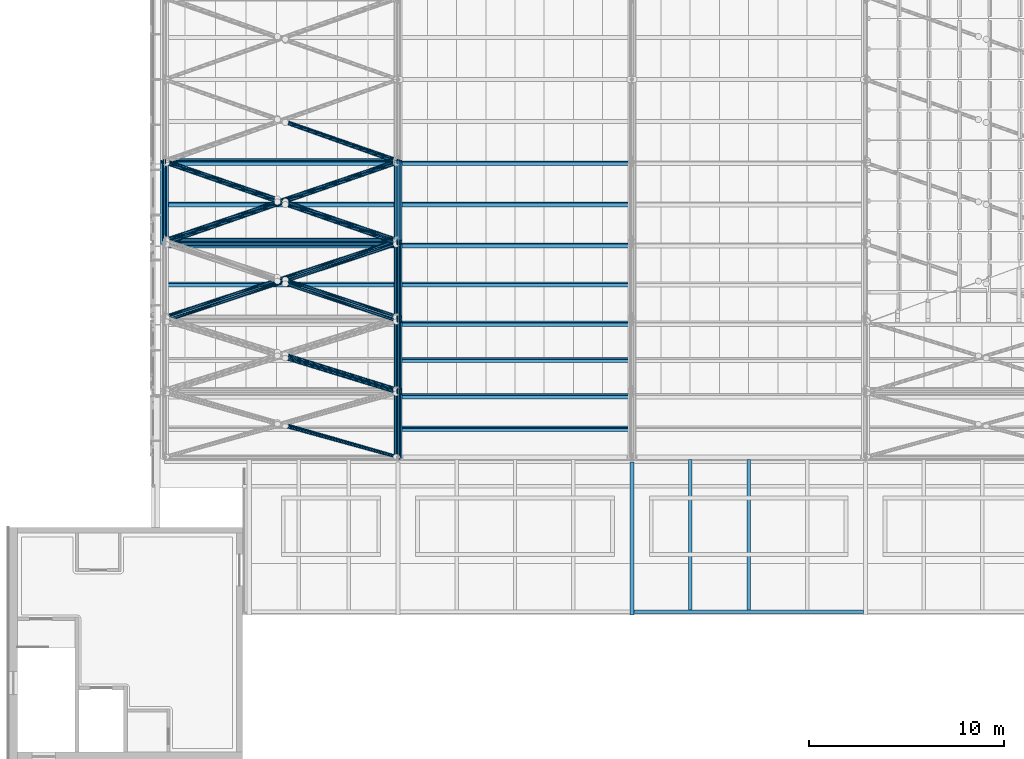
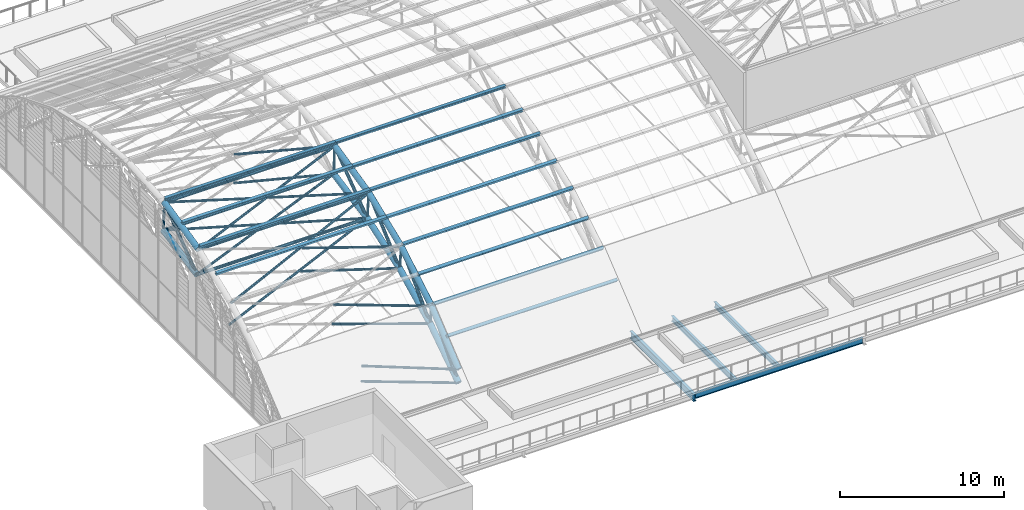
# One storey, part 3 of 110: 52 members, 4 beams.
"""IFC4 building model written with IfcOpenShell, lengths in metres."""

import ifcopenshell
import ifcopenshell.guid

model = None  # the IFC model being written
_history = None  # IfcOwnerHistory: only IFC2X3 demands one
_inside = {}  # id of a spatial element -> (the spatial element, [elements in it])
_under = {}  # id of a project, library or spatial element -> (it, [spatial elements below it])
_declared = {}  # id of a project -> (the project, [libraries it declares])
_typed = {}  # id of a type object -> (the type object, [elements of that type])
_made_of = {}  # id of a material, layer set ... -> (it, [elements and type objects made of it])


def new_model(schema):
    """Start an empty IFC model of exactly this schema.

    Asked for "IFC4X3", IfcOpenShell would pick the latest addendum, in which some entities
    have other attributes; the version numbers below select the first issue.
    IFC2X3 requires an IfcOwnerHistory on every rooted entity: one is made here for all.
    """
    global model, _history
    if schema == "IFC4X3":
        model = ifcopenshell.file(schema_version=(4, 3, 0, 0))
    else:
        model = ifcopenshell.file(schema=schema)
    _inside.clear()
    _under.clear()
    _declared.clear()
    _typed.clear()
    _made_of.clear()
    _history = None
    if model.schema == "IFC2X3":
        org = make("IfcOrganization", Name="unknown")
        user = make(
            "IfcPersonAndOrganization",
            ThePerson=make("IfcPerson", FamilyName="unknown"),
            TheOrganization=org,
        )
        app = make(
            "IfcApplication",
            ApplicationDeveloper=org,
            Version="unknown",
            ApplicationFullName="unknown",
            ApplicationIdentifier="unknown",
        )
        _history = make(
            "IfcOwnerHistory",
            OwningUser=user,
            OwningApplication=app,
            ChangeAction="ADDED",
            CreationDate=0,
        )
    return model


def make(cls, **values):
    """One entity of the class cls with the attributes given. An attribute that is None is left unset."""
    return model.create_entity(
        cls, **{name: value for name, value in values.items() if value is not None}
    )


def rooted(cls, **values):
    """An entity with a GlobalId (a new one), such as an element, a storey or a relation."""
    return make(cls, GlobalId=ifcopenshell.guid.new(), OwnerHistory=_history, **values)


def si_unit(unit_type, name, prefix=None):
    """IfcSIUnit, for example si_unit("LENGTHUNIT", "METRE", prefix="MILLI")."""
    return make("IfcSIUnit", UnitType=unit_type, Prefix=prefix, Name=name)


def assignment(units):
    """IfcUnitAssignment: the units of a project."""
    return None if units is None else make("IfcUnitAssignment", Units=units)


def point(xyz):
    """IfcCartesianPoint."""
    return None if xyz is None else make("IfcCartesianPoint", Coordinates=xyz)


def direction(xyz):
    """IfcDirection."""
    return None if xyz is None else make("IfcDirection", DirectionRatios=xyz)


def frame(location, z_axis=None, x_axis=None):
    """IfcAxis2Placement3D, a coordinate frame: its origin and axes. An axis left out is left unset."""
    return make(
        "IfcAxis2Placement3D",
        Location=point(location),
        Axis=direction(z_axis),
        RefDirection=direction(x_axis),
    )


def frame_2d(location, x_axis=None):
    """IfcAxis2Placement2D, a coordinate frame in the plane: its origin and x axis."""
    return make(
        "IfcAxis2Placement2D", Location=point(location), RefDirection=direction(x_axis)
    )


def origin():
    """The frame at (0, 0, 0) with its axes left unset."""
    return frame((0.0, 0.0, 0.0))


def origin_2d():
    """The frame at (0, 0) in the plane with its x axis left unset."""
    return frame_2d((0.0, 0.0))


def place(relative_to, where):
    """IfcLocalPlacement: puts the frame where relative to a parent placement (None: the world)."""
    return make(
        "IfcLocalPlacement", PlacementRelTo=relative_to, RelativePlacement=where
    )


def context(
    kind, dimensions, precision=None, world=None, true_north=None, identifier=None
):
    """IfcGeometricRepresentationContext, for example the 3D "Model" context."""
    return make(
        "IfcGeometricRepresentationContext",
        ContextIdentifier=identifier,
        ContextType=kind,
        CoordinateSpaceDimension=dimensions,
        Precision=precision,
        WorldCoordinateSystem=world,
        TrueNorth=true_north,
    )


def subcontext(parent, identifier, kind, view, scale=None):
    """IfcGeometricRepresentationSubContext, for example "Body" below "Model"."""
    return make(
        "IfcGeometricRepresentationSubContext",
        ContextIdentifier=identifier,
        ContextType=kind,
        ParentContext=parent,
        TargetScale=scale,
        TargetView=view,
    )


def project(units=None, contexts=None):
    """IfcProject with its units and contexts."""
    return rooted(
        "IfcProject",
        Name="project",
        RepresentationContexts=contexts,
        UnitsInContext=assignment(units),
    )


def spatial(cls, under=None, at=None, **own):
    """A site, building, storey or space (cls), placed at a placement, below another one or the project."""
    s = rooted(cls, ObjectPlacement=at, **own)
    if under is not None:
        _under.setdefault(under.id(), (under, []))[1].append(s)
    return s


def profile(cls, at=None, kind="AREA", **sizes):
    """A parametric profile (cls). Its sizes go by their IFC names, for example OverallWidth=200.0."""
    return make(cls, ProfileType=kind, Position=at, **sizes)


def hollow_circle(**sizes):
    """IfcCircleHollowProfileDef."""
    return profile("IfcCircleHollowProfileDef", **sizes)


def i_section(**sizes):
    """IfcIShapeProfileDef."""
    return profile("IfcIShapeProfileDef", **sizes)


def extrude(swept, where, along, depth):
    """IfcExtrudedAreaSolid: the profile swept, set in the frame where, extruded along a direction by depth."""
    return make(
        "IfcExtrudedAreaSolid",
        SweptArea=swept,
        Position=where,
        ExtrudedDirection=direction(along),
        Depth=depth,
    )


def shape(context_of_items, identifier, shape_type, items):
    """IfcShapeRepresentation: the items that make up one representation, for example the "Body"."""
    return make(
        "IfcShapeRepresentation",
        ContextOfItems=context_of_items,
        RepresentationIdentifier=identifier,
        RepresentationType=shape_type,
        Items=items,
    )


def material(Name=None, Category=None):
    """IfcMaterial."""
    return make("IfcMaterial", Name=Name, Category=Category)


def material_profile(
    of_material, cross_section, Name=None, Category=None, Priority=None
):
    """IfcMaterialProfile: a cross section and its material."""
    return make(
        "IfcMaterialProfile",
        Name=Name,
        Material=of_material,
        Profile=cross_section,
        Priority=Priority,
        Category=Category,
    )


def profile_set(profiles, Name=None, composite=None):
    """IfcMaterialProfileSet."""
    return make(
        "IfcMaterialProfileSet",
        Name=Name,
        MaterialProfiles=profiles,
        CompositeProfile=composite,
    )


def made_of(thing, what):
    """Note that an element or type object is made of a material, layer set ...; save() writes the relation."""
    if what is not None:
        _made_of.setdefault(what.id(), (what, []))[1].append(thing)
    return thing


def type_object(cls, material=None, **own):
    """A type object (cls), such as IfcWallType, which elements share."""
    return made_of(rooted(cls, **own), material)


def element(
    cls,
    number,
    at=None,
    inside=None,
    cuts=None,
    type_object=None,
    material=None,
    context=None,
    identifier="Body",
    shape_type=None,
    held_by="IfcProductDefinitionShape",
    body=None,
    shapes=None,
    **own,
):
    """One element of the class cls, such as IfcWall. Its Tag is "e" and its number.

    at: its placement. inside: the storey or other place that contains it. cuts: it is an
    opening in that element (IfcRelVoidsElement). A single representation is given by context,
    identifier, shape_type and body (its items); several are given by shapes. held_by: the class
    of the entity that holds the representations. save() writes the other relations.
    """
    e = rooted(cls, Tag="e%d" % number, ObjectPlacement=at, **own)
    if body is not None:
        shapes = [shape(context, identifier, shape_type, body)]
    if shapes is not None:
        e.Representation = make(held_by, Representations=shapes)
    if inside is not None:
        _inside.setdefault(inside.id(), (inside, []))[1].append(e)
    if cuts is not None:
        rooted(
            "IfcRelVoidsElement", RelatingBuildingElement=cuts, RelatedOpeningElement=e
        )
    if type_object is not None:
        _typed.setdefault(type_object.id(), (type_object, []))[1].append(e)
    return made_of(e, material)


def aggregate(whole, parts):
    """IfcRelAggregates: a whole, such as a stair, and the parts it consists of."""
    return rooted("IfcRelAggregates", RelatingObject=whole, RelatedObjects=parts)


def save(model, path):
    """Write the relations noted so far, then the file.

    IfcRelAggregates (storeys below a building ...), IfcRelContainedInSpatialStructure (elements
    in a storey), IfcRelDefinesByType, IfcRelAssociatesMaterial and IfcRelDeclares: one each for
    every whole, place, type object, material and project.
    """
    for whole, parts in _under.values():
        aggregate(whole, parts)
    for where, things in _inside.values():
        rooted(
            "IfcRelContainedInSpatialStructure",
            RelatedElements=things,
            RelatingStructure=where,
        )
    for kind, things in _typed.values():
        rooted("IfcRelDefinesByType", RelatedObjects=things, RelatingType=kind)
    for what, things in _made_of.values():
        rooted("IfcRelAssociatesMaterial", RelatedObjects=things, RelatingMaterial=what)
    for by, libraries in _declared.values():
        rooted("IfcRelDeclares", RelatingContext=by, RelatedDefinitions=libraries)
    model.write(path)


model = new_model("IFC4")

# Units and contexts
model_context = context("Model", 3, precision=1e-05, world=origin(), true_north=direction((0.0, 1.0)))
body_context = subcontext(model_context, "Body", "Model", "MODEL_VIEW")
ifc_project = project(units=[si_unit("LENGTHUNIT", "METRE"), si_unit("AREAUNIT", "SQUARE_METRE"), si_unit("VOLUMEUNIT", "CUBIC_METRE"), si_unit("PLANEANGLEUNIT", "RADIAN"), si_unit("MASSUNIT", "GRAM", prefix="KILO")], contexts=[model_context])

# Site, building, storey
site_placement = place(None, origin())
site = spatial("IfcSite", under=ifc_project, at=site_placement, CompositionType="ELEMENT")
building_placement = place(site_placement, origin())
building = spatial("IfcBuilding", under=site, at=building_placement, Name="Windward Yard Aquatics Centre", CompositionType="ELEMENT")
storey_placement = place(building_placement, frame((0.0, 0.0, 22.60009765625)))
storey = spatial("IfcBuildingStorey", under=building, at=storey_placement, Name="L05", CompositionType="ELEMENT", Elevation=22.60009765625)

# Members
ifc_material_1 = material(Name="Steel ASTM A500 Gr C", Category="steel")
ifc_material_profile_1 = material_profile(ifc_material_1, hollow_circle(Radius=0.084228515625, WallThickness=0.010986328125, at=origin_2d()), Name="HSS168.3X11")
ifc_profile_set_1 = profile_set([ifc_material_profile_1], Name="Steel ASTM A500 Gr C")
member_type_1 = type_object("IfcMemberType", Name="H arch post HSS168.3X11", PredefinedType="POST", material=ifc_profile_set_1)
member_1_placement = place(storey_placement, frame((60.0, 56.83935546875, 6.323486328125), z_axis=(0.0, -0.050215263417, 0.998738417865), x_axis=(1.0, 0.0, 0.0)))
element("IfcMember", 1, at=member_1_placement, inside=storey, type_object=member_type_1, Name="H.AT.1.WP05", PredefinedType="POST", context=body_context, shape_type="SweptSolid", body=[
    extrude(hollow_circle(Radius=0.084228515625, WallThickness=0.010986328125, at=origin_2d()), origin(), (0.0, 0.0, 1.0), 2.14892578125),
])
member_2_placement = place(storey_placement, frame((72.0, 45.064697265625, 2.319580078125), z_axis=(0.0, -0.111745510026, 0.993736857015), x_axis=(1.0, 0.0, 0.0)))
element("IfcMember", 2, at=member_2_placement, inside=storey, type_object=member_type_1, Name="H.AT.2.WP02", PredefinedType="POST", context=body_context, shape_type="SweptSolid", body=[
    extrude(hollow_circle(Radius=0.084228515625, WallThickness=0.010986328125, at=origin_2d()), origin(), (0.0, 0.0, 1.0), 1.406982421875),
])
member_3_placement = place(storey_placement, frame((72.0, 48.802734375, 4.16650390625), z_axis=(0.0, -0.121591772527, 0.992580193664), x_axis=(1.0, 0.0, 0.0)))
element("IfcMember", 3, at=member_3_placement, inside=storey, type_object=member_type_1, Name="H.AT.2.WP03", PredefinedType="POST", context=body_context, shape_type="SweptSolid", body=[
    extrude(hollow_circle(Radius=0.084228515625, WallThickness=0.010986328125, at=origin_2d()), origin(), (0.0, 0.0, 1.0), 1.746826171875),
])
member_4_placement = place(storey_placement, frame((72.0, 52.750244140625, 5.5087890625), z_axis=(0.0, -0.094018625473, 0.995570438525), x_axis=(1.0, 0.0, 0.0)))
element("IfcMember", 4, at=member_4_placement, inside=storey, type_object=member_type_1, Name="H.AT.2.WP04", PredefinedType="POST", context=body_context, shape_type="SweptSolid", body=[
    extrude(hollow_circle(Radius=0.084228515625, WallThickness=0.010986328125, at=origin_2d()), origin(), (0.0, 0.0, 1.0), 1.996826171875),
])
member_5_placement = place(storey_placement, frame((72.0, 56.83935546875, 6.323486328125), z_axis=(0.0, -0.050215263417, 0.998738417865), x_axis=(1.0, 0.0, 0.0)))
element("IfcMember", 5, at=member_5_placement, inside=storey, type_object=member_type_1, Name="H.AT.2.WP05", PredefinedType="POST", context=body_context, shape_type="SweptSolid", body=[
    extrude(hollow_circle(Radius=0.084228515625, WallThickness=0.010986328125, at=origin_2d()), origin(), (0.0, 0.0, 1.0), 2.14892578125),
])
ifc_material_profile_2 = material_profile(ifc_material_1, hollow_circle(Radius=0.203125, WallThickness=0.015869140625, at=origin_2d()), Name="HSS406.4X15.9")
ifc_profile_set_2 = profile_set([ifc_material_profile_2], Name="Steel ASTM A500 Gr C")
member_type_2 = type_object("IfcMemberType", Name="H arch top chord HSS406.4X15.9", PredefinedType="CHORD", material=ifc_profile_set_2)
member_6_placement = place(storey_placement, frame((60.0, 52.5625, 7.496826171875), z_axis=(0.0, 0.973833637334, 0.227262066337), x_axis=(-1.0, 0.0, 0.0)))
element("IfcMember", 6, at=member_6_placement, inside=storey, type_object=member_type_2, Name="H.AT.1.TC04", PredefinedType="CHORD", context=body_context, shape_type="SweptSolid", body=[
    extrude(hollow_circle(Radius=0.203125, WallThickness=0.015869140625, at=origin_2d()), origin(), (0.0, 0.0, 1.0), 4.281005859375),
])
member_7_placement = place(storey_placement, frame((60.0, 52.750244140625, 5.5087890625), z_axis=(0.0, 0.980724544319, 0.195395414914), x_axis=(-1.0, 0.0, 0.0)))
element("IfcMember", 7, at=member_7_placement, inside=storey, type_object=member_type_2, Name="H.AT.1.BC04", PredefinedType="CHORD", context=body_context, shape_type="SweptSolid", body=[
    extrude(hollow_circle(Radius=0.203125, WallThickness=0.015869140625, at=origin_2d()), origin(), (0.0, 0.0, 1.0), 4.16943359375),
])
member_8_placement = place(storey_placement, frame((72.0, 41.60009765625, 1.0), z_axis=(0.0, 0.772611352747, 0.634879277979), x_axis=(-1.0, 0.0, 0.0)))
element("IfcMember", 8, at=member_8_placement, inside=storey, type_object=member_type_2, Name="H.AT.2.TC01", PredefinedType="CHORD", context=body_context, shape_type="SweptSolid", body=[
    extrude(hollow_circle(Radius=0.203125, WallThickness=0.015869140625, at=origin_2d()), origin(), (0.0, 0.0, 1.0), 4.28076171875),
])
member_9_placement = place(storey_placement, frame((72.0, 41.60009765625, 0.0), z_axis=(0.0, 0.83095865789, 0.556334170151), x_axis=(-1.0, 0.0, 0.0)))
element("IfcMember", 9, at=member_9_placement, inside=storey, type_object=member_type_2, Name="H.AT.2.BC01", PredefinedType="CHORD", context=body_context, shape_type="SweptSolid", body=[
    extrude(hollow_circle(Radius=0.203125, WallThickness=0.015869140625, at=origin_2d()), origin(), (0.0, 0.0, 1.0), 4.16943359375),
])
member_10_placement = place(storey_placement, frame((72.0, 44.907470703125, 3.7177734375), z_axis=(0.0, 0.860273006082, 0.509833654251), x_axis=(-1.0, 0.0, 0.0)))
element("IfcMember", 10, at=member_10_placement, inside=storey, type_object=member_type_2, Name="H.AT.2.TC02", PredefinedType="CHORD", context=body_context, shape_type="SweptSolid", body=[
    extrude(hollow_circle(Radius=0.203125, WallThickness=0.015869140625, at=origin_2d()), origin(), (0.0, 0.0, 1.0), 4.281005859375),
])
member_11_placement = place(storey_placement, frame((72.0, 45.064697265625, 2.319580078125), z_axis=(0.0, 0.896536837976, 0.4429691842), x_axis=(-1.0, 0.0, 0.0)))
element("IfcMember", 11, at=member_11_placement, inside=storey, type_object=member_type_2, Name="H.AT.2.BC02", PredefinedType="CHORD", context=body_context, shape_type="SweptSolid", body=[
    extrude(hollow_circle(Radius=0.203125, WallThickness=0.015869140625, at=origin_2d()), origin(), (0.0, 0.0, 1.0), 4.16943359375),
])
member_12_placement = place(storey_placement, frame((72.0, 48.59033203125, 5.900390625), z_axis=(0.0, 0.92786581708, 0.372914233429), x_axis=(-1.0, 0.0, 0.0)))
element("IfcMember", 12, at=member_12_placement, inside=storey, type_object=member_type_2, Name="H.AT.2.TC03", PredefinedType="CHORD", context=body_context, shape_type="SweptSolid", body=[
    extrude(hollow_circle(Radius=0.203125, WallThickness=0.015869140625, at=origin_2d()), origin(), (0.0, 0.0, 1.0), 4.281005859375),
])
member_13_placement = place(storey_placement, frame((72.0, 48.802734375, 4.16650390625), z_axis=(0.0, 0.946763107829, 0.321931075938), x_axis=(-1.0, 0.0, 0.0)))
element("IfcMember", 13, at=member_13_placement, inside=storey, type_object=member_type_2, Name="H.AT.2.BC03", PredefinedType="CHORD", context=body_context, shape_type="SweptSolid", body=[
    extrude(hollow_circle(Radius=0.203125, WallThickness=0.015869140625, at=origin_2d()), origin(), (0.0, 0.0, 1.0), 4.16943359375),
])
member_14_placement = place(storey_placement, frame((72.0, 52.5625, 7.496826171875), z_axis=(0.0, 0.973833637334, 0.227262066337), x_axis=(-1.0, 0.0, 0.0)))
element("IfcMember", 14, at=member_14_placement, inside=storey, type_object=member_type_2, Name="H.AT.2.TC04", PredefinedType="CHORD", context=body_context, shape_type="SweptSolid", body=[
    extrude(hollow_circle(Radius=0.203125, WallThickness=0.015869140625, at=origin_2d()), origin(), (0.0, 0.0, 1.0), 4.281005859375),
])
member_15_placement = place(storey_placement, frame((72.0, 52.750244140625, 5.5087890625), z_axis=(0.0, 0.980724544319, 0.195395414914), x_axis=(-1.0, 0.0, 0.0)))
element("IfcMember", 15, at=member_15_placement, inside=storey, type_object=member_type_2, Name="H.AT.2.BC04", PredefinedType="CHORD", context=body_context, shape_type="SweptSolid", body=[
    extrude(hollow_circle(Radius=0.203125, WallThickness=0.015869140625, at=origin_2d()), origin(), (0.0, 0.0, 1.0), 4.16943359375),
])
ifc_material_profile_3 = material_profile(ifc_material_1, hollow_circle(Radius=0.109619140625, WallThickness=0.00830078125, at=origin_2d()), Name="HSS219.1X8.2")
ifc_profile_set_3 = profile_set([ifc_material_profile_3], Name="Steel ASTM A500 Gr C")
member_type_3 = type_object("IfcMemberType", Name="H arch web diagonal HSS219.1X8.2", PredefinedType="BRACE", material=ifc_profile_set_3)
member_16_placement = place(storey_placement, frame((60.0, 52.750244140625, 5.5087890625), z_axis=(0.0, 0.802408568981, 0.596775073563), x_axis=(-1.0, 0.0, 0.0)))
element("IfcMember", 16, at=member_16_placement, inside=storey, type_object=member_type_3, Name="H.AT.1.WD04", PredefinedType="BRACE", context=body_context, shape_type="SweptSolid", body=[
    extrude(hollow_circle(Radius=0.109619140625, WallThickness=0.00830078125, at=origin_2d()), origin(), (0.0, 0.0, 1.0), 4.961669921875),
])
member_17_placement = place(storey_placement, frame((72.0, 41.60009765625, 0.0), z_axis=(0.0, 0.664665272452, 0.747141268835), x_axis=(-1.0, 0.0, 0.0)))
element("IfcMember", 17, at=member_17_placement, inside=storey, type_object=member_type_3, Name="H.AT.2.WD01", PredefinedType="BRACE", context=body_context, shape_type="SweptSolid", body=[
    extrude(hollow_circle(Radius=0.109619140625, WallThickness=0.00830078125, at=origin_2d()), origin(), (0.0, 0.0, 1.0), 4.97607421875),
])
member_18_placement = place(storey_placement, frame((72.0, 45.064697265625, 2.319580078125), z_axis=(0.0, 0.701595524129, 0.712575413919), x_axis=(-1.0, 0.0, 0.0)))
element("IfcMember", 18, at=member_18_placement, inside=storey, type_object=member_type_3, Name="H.AT.2.WD02", PredefinedType="BRACE", context=body_context, shape_type="SweptSolid", body=[
    extrude(hollow_circle(Radius=0.109619140625, WallThickness=0.00830078125, at=origin_2d()), origin(), (0.0, 0.0, 1.0), 5.025146484375),
])
member_19_placement = place(storey_placement, frame((72.0, 48.802734375, 4.16650390625), z_axis=(0.0, 0.748564053538, 0.663062484047), x_axis=(-1.0, 0.0, 0.0)))
element("IfcMember", 19, at=member_19_placement, inside=storey, type_object=member_type_3, Name="H.AT.2.WD03", PredefinedType="BRACE", context=body_context, shape_type="SweptSolid", body=[
    extrude(hollow_circle(Radius=0.109619140625, WallThickness=0.00830078125, at=origin_2d()), origin(), (0.0, 0.0, 1.0), 5.022705078125),
])
member_20_placement = place(storey_placement, frame((72.0, 52.750244140625, 5.5087890625), z_axis=(0.0, 0.802408568981, 0.596775073563), x_axis=(-1.0, 0.0, 0.0)))
element("IfcMember", 20, at=member_20_placement, inside=storey, type_object=member_type_3, Name="H.AT.2.WD04", PredefinedType="BRACE", context=body_context, shape_type="SweptSolid", body=[
    extrude(hollow_circle(Radius=0.109619140625, WallThickness=0.00830078125, at=origin_2d()), origin(), (0.0, 0.0, 1.0), 4.961669921875),
])
ifc_material_profile_4 = material_profile(ifc_material_1, hollow_circle(Radius=0.084228515625, WallThickness=0.007080078125, at=origin_2d()), Name="HSS168.3X7.1")
ifc_profile_set_4 = profile_set([ifc_material_profile_4], Name="Steel ASTM A500 Gr C")
member_type_4 = type_object("IfcMemberType", Name="H roof brace HSS168.3X7.1", PredefinedType="BRACE", material=ifc_profile_set_4)
for number, where, z_axis, x_axis, name in (
    (21, (66.1064453125, 43.224365234375, 2.334716796875), (0.941869878375, -0.259579962752, -0.213305825397), (0.265694801521, 0.964057193555, 0.0), "H.RB.1.T01B2"),
    (22, (66.1064453125, 46.71630859375, 4.789794921875), (0.941852913736, -0.28907159229, -0.171320469934), (0.293409548172, 0.955986839366, 0.0), "H.RB.1.T02B2"),
):
    element("IfcMember", number, at=place(storey_placement, frame(where, z_axis=z_axis, x_axis=x_axis)), inside=storey, type_object=member_type_4, Name=name, PredefinedType="BRACE", context=body_context, shape_type="SweptSolid", body=[
        extrude(hollow_circle(Radius=0.084228515625, WallThickness=0.007080078125, at=origin_2d()), origin(), (0.0, 0.0, 1.0), 6.25732421875),
    ])
member_21_placement = place(storey_placement, frame((60.0, 48.59033203125, 5.900390625), z_axis=(0.941859739241, 0.311768757272, 0.125301530658), x_axis=(-0.314245417859, 0.949341781107, 0.0)))
element("IfcMember", 23, at=member_21_placement, inside=storey, type_object=member_type_4, Name="H.RB.1.T03A", PredefinedType="BRACE", context=body_context, shape_type="SweptSolid", body=[
    extrude(hollow_circle(Radius=0.084228515625, WallThickness=0.007080078125, at=origin_2d()), origin(), (0.0, 0.0, 1.0), 12.74072265625),
])
member_22_placement = place(storey_placement, frame((66.1064453125, 50.541259765625, 6.6845703125), z_axis=(0.941853728826, -0.311779335006, -0.125320388442), x_axis=(0.314256834084, 0.9493380021, 0.0)))
element("IfcMember", 24, at=member_22_placement, inside=storey, type_object=member_type_4, Name="H.RB.1.T03B2", PredefinedType="BRACE", context=body_context, shape_type="SweptSolid", body=[
    extrude(hollow_circle(Radius=0.084228515625, WallThickness=0.007080078125, at=origin_2d()), origin(), (0.0, 0.0, 1.0), 6.25732421875),
])
member_23_placement = place(storey_placement, frame((60.0, 52.5625, 7.496826171875), z_axis=(0.941859984788, 0.327213564051, 0.076361328926), x_axis=(-0.32817175629, 0.944618070108, 0.0)))
element("IfcMember", 25, at=member_23_placement, inside=storey, type_object=member_type_4, Name="H.RB.1.T04A", PredefinedType="BRACE", context=body_context, shape_type="SweptSolid", body=[
    extrude(hollow_circle(Radius=0.084228515625, WallThickness=0.007080078125, at=origin_2d()), origin(), (0.0, 0.0, 1.0), 12.74072265625),
])
for number, where, z_axis, x_axis, name in (
    (26, (60.0, 56.7314453125, 8.4697265625), (0.941866761957, -0.327195305127, -0.07635597569), (0.328153308973, 0.944624478727, 0.0), "H.RB.1.T04B1"),
    (27, (66.1064453125, 54.610107421875, 7.974609375), (0.941854737477, -0.327230144292, -0.07635500088), (0.328188225573, 0.944612348318, 0.0), "H.RB.1.T04B2"),
    (28, (66.1064453125, 58.827880859375, 8.63037109375), (0.941856232178, -0.335033946384, -0.025672800363), (0.335144410202, 0.942166770965, 0.0), "H.RB.1.T05B2"),
):
    element("IfcMember", number, at=place(storey_placement, frame(where, z_axis=z_axis, x_axis=x_axis)), inside=storey, type_object=member_type_4, Name=name, PredefinedType="BRACE", context=body_context, shape_type="SweptSolid", body=[
        extrude(hollow_circle(Radius=0.084228515625, WallThickness=0.007080078125, at=origin_2d()), origin(), (0.0, 0.0, 1.0), 6.25732421875),
    ])
for number, where, z_axis, x_axis, name in (
    (29, (66.109375, 43.30078125, 1.138671875), (0.944607860476, -0.272717935845, -0.182594954462), (0.27738120673, 0.960759942001, 0.0), "H.RB.1.B01B2"),
    (30, (66.109375, 46.899658203125, 3.226318359375), (0.944603517072, -0.294249006727, -0.145401917374), (0.297409677169, 0.954749958851, 0.0), "H.RB.1.B02B2"),
):
    element("IfcMember", number, at=place(storey_placement, frame(where, z_axis=z_axis, x_axis=x_axis)), inside=storey, type_object=member_type_4, Name=name, PredefinedType="BRACE", context=body_context, shape_type="SweptSolid", body=[
        extrude(hollow_circle(Radius=0.084228515625, WallThickness=0.007080078125, at=origin_2d()), origin(), (0.0, 0.0, 1.0), 6.236083984375),
    ])
member_24_placement = place(storey_placement, frame((60.0, 48.802734375, 4.16650390625), z_axis=(0.944605023876, 0.310736463034, 0.105660775172), x_axis=(-0.312485685154, 0.949922468717, 0.0)))
element("IfcMember", 31, at=member_24_placement, inside=storey, type_object=member_type_4, Name="H.RB.1.B03A", PredefinedType="BRACE", context=body_context, shape_type="SweptSolid", body=[
    extrude(hollow_circle(Radius=0.084228515625, WallThickness=0.007080078125, at=origin_2d()), origin(), (0.0, 0.0, 1.0), 12.70361328125),
])
member_25_placement = place(storey_placement, frame((66.109375, 50.740478515625, 4.825439453125), z_axis=(0.944606037687, -0.310731851837, -0.105665272535), x_axis=(0.312481198168, 0.94992394474, 0.0)))
element("IfcMember", 32, at=member_25_placement, inside=storey, type_object=member_type_4, Name="H.RB.1.B03B2", PredefinedType="BRACE", context=body_context, shape_type="SweptSolid", body=[
    extrude(hollow_circle(Radius=0.084228515625, WallThickness=0.007080078125, at=origin_2d()), origin(), (0.0, 0.0, 1.0), 6.236083984375),
])
member_26_placement = place(storey_placement, frame((60.0, 52.750244140625, 5.5087890625), z_axis=(0.944605023003, 0.321882925014, 0.064130594111), x_axis=(-0.322546883009, 0.946553489382, 0.0)))
element("IfcMember", 33, at=member_26_placement, inside=storey, type_object=member_type_4, Name="H.RB.1.B04A", PredefinedType="BRACE", context=body_context, shape_type="SweptSolid", body=[
    extrude(hollow_circle(Radius=0.084228515625, WallThickness=0.007080078125, at=origin_2d()), origin(), (0.0, 0.0, 1.0), 12.70361328125),
])
for number, where, z_axis, x_axis, name in (
    (34, (60.0, 56.83935546875, 6.323486328125), (0.944603317276, -0.321888613836, -0.064127164858), (0.322552512339, 0.946551571117, 0.0), "H.RB.1.B04B1"),
    (35, (66.109375, 54.757568359375, 5.90869140625), (0.944603317276, -0.321888613836, -0.064127164858), (0.322552512339, 0.946551571117, 0.0), "H.RB.1.B04B2"),
    (36, (66.109375, 58.8818359375, 6.457763671875), (0.94459743351, -0.327524126689, -0.021532186192), (0.327600078932, 0.944816483918, 0.0), "H.RB.1.B05B2"),
):
    element("IfcMember", number, at=place(storey_placement, frame(where, z_axis=z_axis, x_axis=x_axis)), inside=storey, type_object=member_type_4, Name=name, PredefinedType="BRACE", context=body_context, shape_type="SweptSolid", body=[
        extrude(hollow_circle(Radius=0.084228515625, WallThickness=0.007080078125, at=origin_2d()), origin(), (0.0, 0.0, 1.0), 6.236083984375),
    ])
ifc_material_2 = material(Name="Steel ASTM A992 Gr 50", Category="steel")
ifc_material_profile_5 = material_profile(ifc_material_2, i_section(OverallWidth=0.202880859375, OverallDepth=0.202880859375, WebThickness=0.00732421875, FlangeThickness=0.010986328125, at=origin_2d()), Name="W200X46.1")
ifc_profile_set_5 = profile_set([ifc_material_profile_5], Name="Steel ASTM A992 Gr 50")
member_type_5 = type_object("IfcMemberType", Name="H roof purlin W200X46.1", PredefinedType="PURLIN", material=ifc_profile_set_5)
for number, where, z_axis, x_axis, name in (
    (37, (60.0, 50.462890625, 6.9814453125), (1.0, 0.0, 0.0), (0.0, 0.927868526784, 0.372907491214), "H.PU.1.06"),
    (38, (60.0, 52.470947265625, 7.787353515625), (1.0, 0.0, 0.0), (0.0, 0.953632764452, 0.300972674115), "H.PU.1.07"),
    (39, (60.0, 54.577880859375, 8.280029296875), (1.0, 0.0, 0.0), (0.0, 0.973829299376, 0.227280653986), "H.PU.1.08"),
    (40, (60.0, 56.68505859375, 8.77099609375), (1.0, 0.0, 0.0), (0.0, 0.988340215831, 0.152261675321), "H.PU.1.09"),
    (41, (72.0, 43.060302734375, 2.59423828125), (1.0, 0.0, 0.0), (0.0, 0.772610863417, 0.634879873464), "H.PU.2.02"),
    (42, (72.0, 44.732666015625, 3.96728515625), (1.0, 0.0, 0.0), (0.0, 0.818830898872, 0.574034806481), "H.PU.2.03"),
    (43, (72.0, 46.593505859375, 5.0712890625), (1.0, 0.0, 0.0), (0.0, 0.860270260664, 0.509838286732), "H.PU.2.04"),
    (44, (72.0, 48.45556640625, 6.173583984375), (1.0, 0.0, 0.0), (0.0, 0.896687008655, 0.44266512005), "H.PU.2.05"),
    (45, (72.0, 50.462890625, 6.9814453125), (1.0, 0.0, 0.0), (0.0, 0.927868526784, 0.372907491214), "H.PU.2.06"),
    (46, (72.0, 52.470947265625, 7.787353515625), (1.0, 0.0, 0.0), (0.0, 0.953632764452, 0.300972674115), "H.PU.2.07"),
    (47, (72.0, 54.577880859375, 8.280029296875), (1.0, 0.0, 0.0), (0.0, 0.973829299376, 0.227280653986), "H.PU.2.08"),
    (48, (72.0, 56.68505859375, 8.77099609375), (1.0, 0.0, 0.0), (0.0, 0.988340215831, 0.152261675321), "H.PU.2.09"),
):
    element("IfcMember", number, at=place(storey_placement, frame(where, z_axis=z_axis, x_axis=x_axis)), inside=storey, type_object=member_type_5, Name=name, PredefinedType="PURLIN", context=body_context, shape_type="SweptSolid", body=[
        extrude(i_section(OverallWidth=0.202880859375, OverallDepth=0.202880859375, WebThickness=0.00732421875, FlangeThickness=0.010986328125, at=origin_2d()), origin(), (0.0, 0.0, 1.0), 12.0),
    ])
ifc_material_profile_6 = material_profile(ifc_material_1, hollow_circle(Radius=0.109619140625, WallThickness=0.00830078125, at=origin_2d()), Name="HSS219.1X8.2")
ifc_profile_set_6 = profile_set([ifc_material_profile_6], Name="Steel ASTM A500 Gr C")
member_type_6 = type_object("IfcMemberType", Name="H roof strut HSS219.1X8.2", PredefinedType="STRUT", material=ifc_profile_set_6)
for number, where, z_axis, x_axis, name in (
    (49, (60.0, 52.5625, 7.496826171875), (1.0, 0.0, 0.0), (0.0, 1.0, 0.0), "H.RS.1.T04"),
    (50, (60.0, 56.7314453125, 8.4697265625), (1.0, 0.0, 0.0), (0.0, 1.0, 0.0), "H.RS.1.T05"),
    (51, (60.0, 52.750244140625, 5.5087890625), (1.0, 0.0, 0.0), (0.0, 1.0, 0.0), "H.RS.1.B04"),
    (52, (60.0, 56.83935546875, 6.323486328125), (1.0, 0.0, 0.0), (0.0, 1.0, 0.0), "H.RS.1.B05"),
):
    element("IfcMember", number, at=place(storey_placement, frame(where, z_axis=z_axis, x_axis=x_axis)), inside=storey, type_object=member_type_6, Name=name, PredefinedType="STRUT", context=body_context, shape_type="SweptSolid", body=[
        extrude(hollow_circle(Radius=0.109619140625, WallThickness=0.00830078125, at=origin_2d()), origin(), (0.0, 0.0, 1.0), 12.0),
    ])

# Beams
ifc_material_profile_7 = material_profile(ifc_material_2, i_section(OverallWidth=0.208984375, OverallDepth=0.528076171875, WebThickness=0.009521484375, FlangeThickness=0.01318359375, at=origin_2d()), Name="W530X82")
ifc_profile_set_7 = profile_set([ifc_material_profile_7], Name="Steel ASTM A992 Gr 50")
beam_type_1 = type_object("IfcBeamType", Name="H terrace primary beam W530X82", PredefinedType="BEAM", material=ifc_profile_set_7)
beam_1_placement = place(storey_placement, frame((84.0, 33.5, -0.4140625), z_axis=(0.0, 1.0, 0.0), x_axis=(-1.0, 0.0, 0.0)))
element("IfcBeam", 53, at=beam_1_placement, inside=storey, type_object=beam_type_1, Name="H.T2B.S3", PredefinedType="BEAM", context=body_context, shape_type="SweptSolid", body=[
    extrude(i_section(OverallWidth=0.208984375, OverallDepth=0.528076171875, WebThickness=0.009521484375, FlangeThickness=0.01318359375, at=origin_2d()), origin(), (0.0, 0.0, 1.0), 7.845947265625),
])
ifc_material_profile_8 = material_profile(ifc_material_2, i_section(OverallWidth=0.177978515625, OverallDepth=0.406005859375, WebThickness=0.0078125, FlangeThickness=0.0126953125, at=origin_2d()), Name="W410X60")
ifc_profile_set_8 = profile_set([ifc_material_profile_8], Name="Steel ASTM A992 Gr 50")
beam_type_2 = type_object("IfcBeamType", Name="H terrace secondary beam W410X60", PredefinedType="BEAM", material=ifc_profile_set_8)
beam_2_placement = place(storey_placement, frame((84.1044921875, 33.65771484375, -0.35302734375), z_axis=(1.0, 0.0, 0.0), x_axis=(0.0, 1.0, 0.0)))
element("IfcBeam", 54, at=beam_2_placement, inside=storey, type_object=beam_type_2, Name="H.T2E.S3", PredefinedType="BEAM", context=body_context, shape_type="SweptSolid", body=[
    extrude(i_section(OverallWidth=0.177978515625, OverallDepth=0.406005859375, WebThickness=0.0078125, FlangeThickness=0.0126953125, at=origin_2d()), origin(), (0.0, 0.0, 1.0), 11.791015625),
])
for number, where, z_axis, x_axis, name in (
    (55, (87.0, 33.74658203125, -0.35302734375), (0.0, 1.0, 0.0), (-1.0, 0.0, 0.0), "H.T2S.S3.1"),
    (56, (90.0, 33.74658203125, -0.35302734375), (0.0, 1.0, 0.0), (-1.0, 0.0, 0.0), "H.T2S.S3.2"),
):
    element("IfcBeam", number, at=place(storey_placement, frame(where, z_axis=z_axis, x_axis=x_axis)), inside=storey, type_object=beam_type_2, Name=name, PredefinedType="BEAM", context=body_context, shape_type="SweptSolid", body=[
        extrude(i_section(OverallWidth=0.177978515625, OverallDepth=0.406005859375, WebThickness=0.0078125, FlangeThickness=0.0126953125, at=origin_2d()), origin(), (0.0, 0.0, 1.0), 7.739501953125),
    ])

save(model, "model.ifc")
